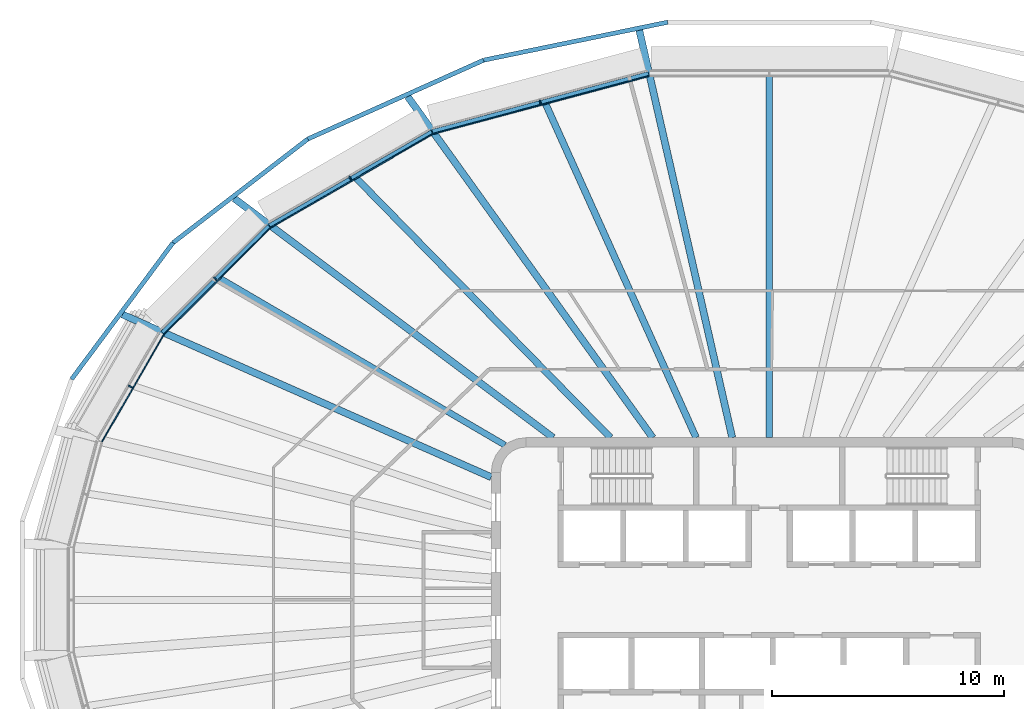
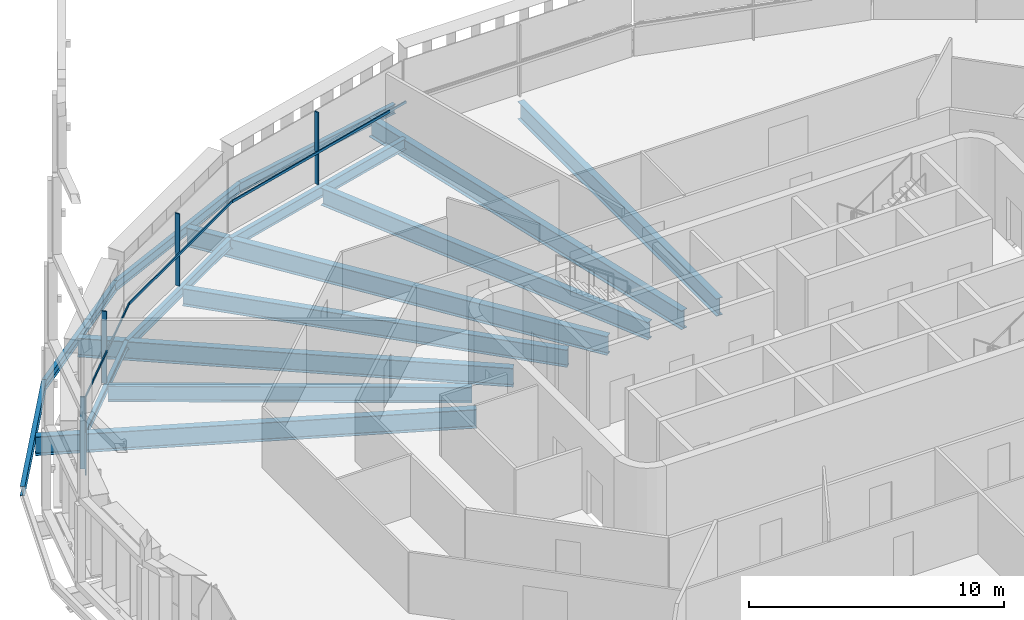
# One storey, part 5 of 21: 15 beams, 8 members, 4 elements without a shape of their own.
"""IFC4 building model written with IfcOpenShell, lengths in metres."""

from ifc_helpers import new_model, si_unit, direction, frame, origin, origin_2d, place, context, subcontext, project, spatial, rectangle, i_section, extrude, material, layer, layer_set, material_profile, profile_set, type_object, element, aggregate, save


model = new_model("IFC4")

# Units and contexts
model_context = context("Model", 3, precision=1e-05, world=origin(), true_north=direction((0.0, 1.0)))
body_context = subcontext(model_context, "Body", "Model", "MODEL_VIEW")
ifc_project = project(units=[si_unit("LENGTHUNIT", "METRE"), si_unit("AREAUNIT", "SQUARE_METRE"), si_unit("VOLUMEUNIT", "CUBIC_METRE"), si_unit("PLANEANGLEUNIT", "RADIAN"), si_unit("MASSUNIT", "GRAM", prefix="KILO")], contexts=[model_context])

# Site, building, storey
site_placement = place(None, origin())
site = spatial("IfcSite", under=ifc_project, at=site_placement, CompositionType="ELEMENT")
building_placement = place(site_placement, origin())
building = spatial("IfcBuilding", under=site, at=building_placement, Name="Sahrelin Media Tower", CompositionType="ELEMENT")
storey_placement = place(building_placement, frame((0.0, 0.0, 259.0)))
storey = spatial("IfcBuildingStorey", under=building, at=storey_placement, Name="L56", CompositionType="ELEMENT", Elevation=259.0)

# Beams
ifc_material_1 = material(Name="Steel S355", Category="steel")
ifc_material_profile_1 = material_profile(ifc_material_1, i_section(OverallWidth=0.17138671875, OverallDepth=0.35498046875, WebThickness=0.00732421875, FlangeThickness=0.011474609375, FilletRadius=0.01025390625, at=origin_2d()), Name="UB 356x171x51")
ifc_profile_set_1 = profile_set([ifc_material_profile_1], Name="Steel S355")
beam_type_1 = type_object("IfcBeamType", Name="Edge beam EB3", PredefinedType="BEAM", material=ifc_profile_set_1)
beam_1_placement = place(storey_placement, frame((-26.19140625, 11.531494140625, -0.327392578125), z_axis=(0.707106781187, 0.707106781187, 0.0), x_axis=(-0.707106781187, 0.707106781187, 0.0)))
element("IfcBeam", 1, at=beam_1_placement, inside=storey, type_object=beam_type_1, Name="Edge beam L56-16", PredefinedType="BEAM", context=body_context, shape_type="SweptSolid", body=[
    extrude(i_section(OverallWidth=0.17138671875, OverallDepth=0.35498046875, WebThickness=0.00732421875, FlangeThickness=0.011474609375, FilletRadius=0.01025390625, at=origin_2d()), origin(), (0.0, 0.0, 1.0), 6.505615234375),
])
ifc_material_profile_2 = material_profile(ifc_material_1, i_section(OverallWidth=0.1904296875, OverallDepth=0.45703125, WebThickness=0.009033203125, FlangeThickness=0.014404296875, FilletRadius=0.01025390625, at=origin_2d()), Name="UB 457x191x74")
ifc_profile_set_2 = profile_set([ifc_material_profile_2], Name="Steel S355")
beam_type_2 = type_object("IfcBeamType", Name="Edge beam EB5", PredefinedType="BEAM", material=ifc_profile_set_2)
beam_2_placement = place(storey_placement, frame((-21.568359375, 16.149169921875, -0.37841796875), z_axis=(0.866014130978, 0.500019524566, 0.0), x_axis=(-0.500019524566, 0.866014130978, 0.0)))
element("IfcBeam", 2, at=beam_2_placement, inside=storey, type_object=beam_type_2, Name="Edge beam L56-17", PredefinedType="BEAM", context=body_context, shape_type="SweptSolid", body=[
    extrude(i_section(OverallWidth=0.1904296875, OverallDepth=0.45703125, WebThickness=0.009033203125, FlangeThickness=0.014404296875, FilletRadius=0.01025390625, at=origin_2d()), origin(), (0.0, 0.0, 1.0), 8.086181640625),
])
ifc_material_profile_3 = material_profile(ifc_material_1, i_section(OverallWidth=0.208740234375, OverallDepth=0.5283203125, WebThickness=0.009521484375, FlangeThickness=0.01318359375, FilletRadius=0.0126953125, at=origin_2d()), Name="UB 533x210x82")
ifc_profile_set_3 = profile_set([ifc_material_profile_3], Name="Steel S355")
beam_type_3 = type_object("IfcBeamType", Name="Edge beam EB6", PredefinedType="BEAM", material=ifc_profile_set_3)
beam_3_placement = place(storey_placement, frame((-14.5390625, 20.203369140625, -0.4140625), z_axis=(0.96592932652, 0.258805981709, 0.0), x_axis=(-0.258805981709, 0.96592932652, 0.0)))
element("IfcBeam", 3, at=beam_3_placement, inside=storey, type_object=beam_type_3, Name="Edge beam L56-18", PredefinedType="BEAM", context=body_context, shape_type="SweptSolid", body=[
    extrude(i_section(OverallWidth=0.208740234375, OverallDepth=0.5283203125, WebThickness=0.009521484375, FlangeThickness=0.01318359375, FilletRadius=0.0126953125, at=origin_2d()), origin(), (0.0, 0.0, 1.0), 9.66064453125),
])

# Curtain wall, member
ifc_material_2 = material(Name="Champagne anodised aluminium 6063-T6", Category="aluminium")
ifc_layer = layer(ifc_material_2, 0.14990234375)
ifc_layer_set = layer_set([ifc_layer], Name="Tower ribbon curtain wall")
curtain_wall_type = type_object("IfcCurtainWallType", Name="Tower ribbon curtain wall", PredefinedType="NOTDEFINED", material=ifc_layer_set)
curtain_wall_1_placement = place(storey_placement, frame((-9.912109375, 21.598388671875, 0.0), z_axis=(0.0, 0.0, 1.0), x_axis=(1.0, 0.0, 0.0)))
curtain_wall_1 = element("IfcCurtainWall", 4, at=curtain_wall_1_placement, inside=storey, type_object=curtain_wall_type, Name="L56:CW:L56-07", PredefinedType="NOTDEFINED")
ifc_material_profile_4 = material_profile(ifc_material_2, rectangle(XDim=0.06005859375, YDim=0.199951171875, at=origin_2d()), Name="Mullion 60x200")
ifc_profile_set_4 = profile_set([ifc_material_profile_4], Name="Champagne anodised aluminium 6063-T6")
member_type_1 = type_object("IfcMemberType", Name="Mullion 60x200 CW1C", PredefinedType="MULLION", material=ifc_profile_set_4)
member_1_placement = place(storey_placement, frame((-9.881103515625, 21.482421875, 0.0), z_axis=(0.0, 0.0, 1.0), x_axis=(-0.965926729732, -0.258815673384, 0.0)))
member_1 = element("IfcMember", 5, at=member_1_placement, type_object=member_type_1, Name="L56:CWM:L56-07", PredefinedType="MULLION", context=body_context, shape_type="SweptSolid", body=[
    extrude(rectangle(XDim=0.06005859375, YDim=0.199951171875, at=origin_2d()), origin(), (0.0, 0.0, 1.0), 3.448486328125),
])

curtain_wall_2_placement = place(storey_placement, frame((-18.14208984375, 18.300537109375, 0.0), z_axis=(0.0, 0.0, 1.0), x_axis=(1.0, 0.0, 0.0)))
curtain_wall_2 = element("IfcCurtainWall", 6, at=curtain_wall_2_placement, inside=storey, type_object=curtain_wall_type, Name="L56:CW:L56-08", PredefinedType="NOTDEFINED")
member_2_placement = place(storey_placement, frame((-18.08203125, 18.19677734375, 0.0), z_axis=(0.0, 0.0, 1.0), x_axis=(-0.866020167749, -0.500009068969, 0.0)))
member_2 = element("IfcMember", 7, at=member_2_placement, type_object=member_type_1, Name="L56:CWM:L56-08", PredefinedType="MULLION", context=body_context, shape_type="SweptSolid", body=[
    extrude(rectangle(XDim=0.06005859375, YDim=0.199951171875, at=origin_2d()), origin(), (0.0, 0.0, 1.0), 3.448486328125),
])

curtain_wall_3_placement = place(storey_placement, frame((-23.997314453125, 13.9375, 0.0), z_axis=(0.0, 0.0, 1.0), x_axis=(1.0, 0.0, 0.0)))
curtain_wall_3 = element("IfcCurtainWall", 8, at=curtain_wall_3_placement, inside=storey, type_object=curtain_wall_type, Name="L56:CW:L56-09", PredefinedType="NOTDEFINED")
member_3_placement = place(storey_placement, frame((-23.91259765625, 13.852783203125, 0.0), z_axis=(0.0, 0.0, 1.0), x_axis=(-0.707106781187, -0.707106781187, 0.0)))
member_3 = element("IfcMember", 9, at=member_3_placement, type_object=member_type_1, Name="L56:CWM:L56-09", PredefinedType="MULLION", context=body_context, shape_type="SweptSolid", body=[
    extrude(rectangle(XDim=0.06005859375, YDim=0.199951171875, at=origin_2d()), origin(), (0.0, 0.0, 1.0), 3.448486328125),
])

curtain_wall_4_placement = place(storey_placement, frame((-27.6796875, 9.261474609375, 0.0), z_axis=(0.0, 0.0, 1.0), x_axis=(1.0, 0.0, 0.0)))
curtain_wall_4 = element("IfcCurtainWall", 10, at=curtain_wall_4_placement, inside=storey, type_object=curtain_wall_type, Name="L56:CW:L56-10", PredefinedType="NOTDEFINED")
member_4_placement = place(storey_placement, frame((-27.57568359375, 9.201416015625, 0.0), z_axis=(0.0, 0.0, 1.0), x_axis=(-0.500010580459, -0.866019295067, 0.0)))
member_4 = element("IfcMember", 11, at=member_4_placement, type_object=member_type_1, Name="L56:CWM:L56-10", PredefinedType="MULLION", context=body_context, shape_type="SweptSolid", body=[
    extrude(rectangle(XDim=0.06005859375, YDim=0.199951171875, at=origin_2d()), origin(), (0.0, 0.0, 1.0), 3.448486328125),
])

# Beams
ifc_material_profile_5 = material_profile(ifc_material_1, i_section(OverallWidth=0.30322265625, OverallDepth=0.903076171875, WebThickness=0.01513671875, FlangeThickness=0.020263671875, FilletRadius=0.01904296875, at=origin_2d()), Name="UB 914x305x201")
ifc_profile_set_5 = profile_set([ifc_material_profile_5], Name="Steel S355")
beam_type_4 = type_object("IfcBeamType", Name="Radial primary beam PB11", PredefinedType="BEAM", material=ifc_profile_set_5)
beam_4_placement = place(storey_placement, frame((-1.596435546875, 7.0, -0.6015625), z_axis=(-0.222372750687, 0.974961722198, 0.0), x_axis=(-0.974961722198, -0.222372750687, 0.0)))
element("IfcBeam", 12, at=beam_4_placement, inside=storey, type_object=beam_type_4, Name="Radial beam L56-07", PredefinedType="BEAM", context=body_context, shape_type="SweptSolid", body=[
    extrude(i_section(OverallWidth=0.30322265625, OverallDepth=0.903076171875, WebThickness=0.01513671875, FlangeThickness=0.020263671875, FilletRadius=0.01904296875, at=origin_2d()), origin(), (0.0, 0.0, 1.0), 18.038330078125),
])
beam_5_placement = place(storey_placement, frame((-5.028564453125, 7.0, -0.6015625), z_axis=(-0.583430968155, 0.812162733322, 0.0), x_axis=(-0.812162733322, -0.583430968155, 0.0)))
element("IfcBeam", 13, at=beam_5_placement, inside=storey, type_object=beam_type_4, Name="Radial beam L56-08", PredefinedType="BEAM", context=body_context, shape_type="SweptSolid", body=[
    extrude(i_section(OverallWidth=0.30322265625, OverallDepth=0.903076171875, WebThickness=0.01513671875, FlangeThickness=0.020263671875, FilletRadius=0.01904296875, at=origin_2d()), origin(), (0.0, 0.0, 1.0), 18.129150390625),
])
beam_6_placement = place(storey_placement, frame((-9.329345703125, 7.0, -0.6015625), z_axis=(-0.799874013489, 0.600167945283, 0.0), x_axis=(-0.600167945283, -0.799874013489, 0.0)))
element("IfcBeam", 14, at=beam_6_placement, inside=storey, type_object=beam_type_4, Name="Radial beam L56-09", PredefinedType="BEAM", context=body_context, shape_type="SweptSolid", body=[
    extrude(i_section(OverallWidth=0.30322265625, OverallDepth=0.903076171875, WebThickness=0.01513671875, FlangeThickness=0.020263671875, FilletRadius=0.01904296875, at=origin_2d()), origin(), (0.0, 0.0, 1.0), 17.21044921875),
])
beam_7_placement = place(storey_placement, frame((-12.0, 5.29443359375, -0.6015625), z_axis=(-0.914908048248, 0.40366231339, 0.0), x_axis=(-0.40366231339, -0.914908048248, 0.0)))
element("IfcBeam", 15, at=beam_7_placement, inside=storey, type_object=beam_type_4, Name="Radial beam L56-10", PredefinedType="BEAM", context=body_context, shape_type="SweptSolid", body=[
    extrude(i_section(OverallWidth=0.30322265625, OverallDepth=0.903076171875, WebThickness=0.01513671875, FlangeThickness=0.020263671875, FilletRadius=0.01904296875, at=origin_2d()), origin(), (0.0, 0.0, 1.0), 17.401123046875),
])
ifc_material_profile_6 = material_profile(ifc_material_1, i_section(OverallWidth=0.291748046875, OverallDepth=0.8349609375, WebThickness=0.013916015625, FlangeThickness=0.018798828125, FilletRadius=0.017822265625, at=origin_2d()), Name="UB 838x292x176")
ifc_profile_set_6 = profile_set([ifc_material_profile_6], Name="Steel S355")
beam_type_5 = type_object("IfcBeamType", Name="Radial secondary beam SB10", PredefinedType="BEAM", material=ifc_profile_set_6)
beam_8_placement = place(storey_placement, frame((0.0, 7.0, -0.5673828125), z_axis=(0.0, 1.0, 0.0), x_axis=(-1.0, 0.0, 0.0)))
element("IfcBeam", 16, at=beam_8_placement, inside=storey, type_object=beam_type_5, Name="Secondary beam L56-06", PredefinedType="BEAM", context=body_context, shape_type="SweptSolid", body=[
    extrude(i_section(OverallWidth=0.291748046875, OverallDepth=0.8349609375, WebThickness=0.013916015625, FlangeThickness=0.018798828125, FilletRadius=0.017822265625, at=origin_2d()), origin(), (0.0, 0.0, 1.0), 15.60302734375),
])
beam_9_placement = place(storey_placement, frame((-3.15625, 7.0, -0.5673828125), z_axis=(-0.41103398842, 0.911620019725, 0.0), x_axis=(-0.911620019725, -0.41103398842, 0.0)))
element("IfcBeam", 17, at=beam_9_placement, inside=storey, type_object=beam_type_5, Name="Secondary beam L56-07", PredefinedType="BEAM", context=body_context, shape_type="SweptSolid", body=[
    extrude(i_section(OverallWidth=0.291748046875, OverallDepth=0.8349609375, WebThickness=0.013916015625, FlangeThickness=0.018798828125, FilletRadius=0.017822265625, at=origin_2d()), origin(), (0.0, 0.0, 1.0), 15.80126953125),
])
beam_10_placement = place(storey_placement, frame((-6.856201171875, 7.0, -0.5673828125), z_axis=(-0.699725987654, 0.714411325639, 0.0), x_axis=(-0.714411325639, -0.699725987654, 0.0)))
element("IfcBeam", 18, at=beam_10_placement, inside=storey, type_object=beam_type_5, Name="Secondary beam L56-08", PredefinedType="BEAM", context=body_context, shape_type="SweptSolid", body=[
    extrude(i_section(OverallWidth=0.291748046875, OverallDepth=0.8349609375, WebThickness=0.013916015625, FlangeThickness=0.018798828125, FilletRadius=0.017822265625, at=origin_2d()), origin(), (0.0, 0.0, 1.0), 15.67724609375),
])
ifc_material_profile_7 = material_profile(ifc_material_1, i_section(OverallWidth=0.26513671875, OverallDepth=0.75390625, WebThickness=0.0126953125, FlangeThickness=0.017578125, FilletRadius=0.0166015625, at=origin_2d()), Name="UB 762x267x147")
ifc_profile_set_7 = profile_set([ifc_material_profile_7], Name="Steel S355")
beam_type_6 = type_object("IfcBeamType", Name="Radial secondary beam SB9", PredefinedType="BEAM", material=ifc_profile_set_7)
beam_11_placement = place(storey_placement, frame((-11.40771484375, 6.677978515625, -0.527099609375), z_axis=(-0.863005004974, 0.505195369525, 0.0), x_axis=(-0.505195369525, -0.863005004974, 0.0)))
element("IfcBeam", 19, at=beam_11_placement, inside=storey, type_object=beam_type_6, Name="Secondary beam L56-09", PredefinedType="BEAM", context=body_context, shape_type="SweptSolid", body=[
    extrude(i_section(OverallWidth=0.26513671875, OverallDepth=0.75390625, WebThickness=0.0126953125, FlangeThickness=0.017578125, FilletRadius=0.0166015625, at=origin_2d()), origin(), (0.0, 0.0, 1.0), 14.263916015625),
])
ifc_material_profile_8 = material_profile(ifc_material_1, i_section(OverallWidth=0.1904296875, OverallDepth=0.45703125, WebThickness=0.009033203125, FlangeThickness=0.014404296875, FilletRadius=0.01025390625, at=origin_2d()), Name="UB 457x191x74")
ifc_profile_set_8 = profile_set([ifc_material_profile_8], Name="Steel S355")
beam_type_7 = type_object("IfcBeamType", Name="Tie chord TC5", PredefinedType="BEAM", material=ifc_profile_set_8)
beam_12_placement = place(storey_placement, frame((-4.38330078125, 24.936279296875, -0.37841796875), z_axis=(-0.979391781368, -0.20196964769, 0.0), x_axis=(0.20196964769, -0.979391781368, 0.0)))
element("IfcBeam", 20, at=beam_12_placement, inside=storey, type_object=beam_type_7, Name="Tie chord L56-07", PredefinedType="BEAM", context=body_context, shape_type="SweptSolid", body=[
    extrude(i_section(OverallWidth=0.1904296875, OverallDepth=0.45703125, WebThickness=0.009033203125, FlangeThickness=0.014404296875, FilletRadius=0.01025390625, at=origin_2d()), origin(), (0.0, 0.0, 1.0), 8.1123046875),
])
beam_13_placement = place(storey_placement, frame((-12.328369140625, 23.2978515625, -0.37841796875), z_axis=(-0.91245001882, -0.409188175728, 0.0), x_axis=(0.409188175728, -0.91245001882, 0.0)))
element("IfcBeam", 21, at=beam_13_placement, inside=storey, type_object=beam_type_7, Name="Tie chord L56-08", PredefinedType="BEAM", context=body_context, shape_type="SweptSolid", body=[
    extrude(i_section(OverallWidth=0.1904296875, OverallDepth=0.45703125, WebThickness=0.009033203125, FlangeThickness=0.014404296875, FilletRadius=0.01025390625, at=origin_2d()), origin(), (0.0, 0.0, 1.0), 8.3203125),
])
beam_14_placement = place(storey_placement, frame((-19.920166015625, 19.893310546875, -0.37841796875), z_axis=(-0.792449605953, -0.609937391889, 0.0), x_axis=(0.609937391889, -0.792449605953, 0.0)))
element("IfcBeam", 22, at=beam_14_placement, inside=storey, type_object=beam_type_7, Name="Tie chord L56-09", PredefinedType="BEAM", context=body_context, shape_type="SweptSolid", body=[
    extrude(i_section(OverallWidth=0.1904296875, OverallDepth=0.45703125, WebThickness=0.009033203125, FlangeThickness=0.014404296875, FilletRadius=0.01025390625, at=origin_2d()), origin(), (0.0, 0.0, 1.0), 7.33984375),
])
beam_15_placement = place(storey_placement, frame((-25.736572265625, 15.41650390625, -0.37841796875), z_axis=(-0.59655461982, -0.802572479949, 0.0), x_axis=(0.802572479949, -0.59655461982, 0.0)))
element("IfcBeam", 23, at=beam_15_placement, inside=storey, type_object=beam_type_7, Name="Tie chord L56-10", PredefinedType="BEAM", context=body_context, shape_type="SweptSolid", body=[
    extrude(i_section(OverallWidth=0.1904296875, OverallDepth=0.45703125, WebThickness=0.009033203125, FlangeThickness=0.014404296875, FilletRadius=0.01025390625, at=origin_2d()), origin(), (0.0, 0.0, 1.0), 7.34716796875),
])

# Member
ifc_material_profile_9 = material_profile(ifc_material_2, rectangle(XDim=0.050048828125, YDim=0.1201171875, at=origin_2d()), Name="Transom 50x120")
ifc_profile_set_9 = profile_set([ifc_material_profile_9], Name="Champagne anodised aluminium 6063-T6")
member_type_2 = type_object("IfcMemberType", Name="Transom 50x120 CW1C", PredefinedType="USERDEFINED", material=ifc_profile_set_9)
member_5_placement = place(storey_placement, frame((-5.197998046875, 22.60791015625, 1.60009765625), z_axis=(-0.965921568865, -0.258834933502, 0.0), x_axis=(0.258834933502, -0.965921568865, 0.0)))
member_5 = element("IfcMember", 24, at=member_5_placement, type_object=member_type_2, Name="L56:CWT:L56-07", ObjectType="TRANSOM", PredefinedType="USERDEFINED", context=body_context, shape_type="SweptSolid", body=[
    extrude(rectangle(XDim=0.050048828125, YDim=0.1201171875, at=origin_2d()), origin(), (0.0, 0.0, 1.0), 9.62939453125),
])

aggregate(curtain_wall_1, [member_1, member_5])

member_6_placement = place(storey_placement, frame((-14.53173828125, 20.10205078125, 1.60009765625), z_axis=(-0.866026084844, -0.499998820369, 0.0), x_axis=(0.499998820369, -0.866026084844, 0.0)))
member_6 = element("IfcMember", 25, at=member_6_placement, type_object=member_type_2, Name="L56:CWT:L56-08", ObjectType="TRANSOM", PredefinedType="USERDEFINED", context=body_context, shape_type="SweptSolid", body=[
    extrude(rectangle(XDim=0.050048828125, YDim=0.1201171875, at=origin_2d()), origin(), (0.0, 0.0, 1.0), 8.0546875),
])

aggregate(curtain_wall_2, [member_2, member_6])

member_7_placement = place(storey_placement, frame((-21.53515625, 16.05322265625, 1.60009765625), z_axis=(-0.707106781187, -0.707106781187, 0.0), x_axis=(0.707106781187, -0.707106781187, 0.0)))
member_7 = element("IfcMember", 26, at=member_7_placement, type_object=member_type_2, Name="L56:CWT:L56-09", ObjectType="TRANSOM", PredefinedType="USERDEFINED", context=body_context, shape_type="SweptSolid", body=[
    extrude(rectangle(XDim=0.050048828125, YDim=0.1201171875, at=origin_2d()), origin(), (0.0, 0.0, 1.0), 6.47412109375),
])

aggregate(curtain_wall_3, [member_3, member_7])

member_8_placement = place(storey_placement, frame((-26.134521484375, 11.447509765625, 1.60009765625), z_axis=(-0.500025039717, -0.866010946615, 0.0), x_axis=(0.866010946615, -0.500025039717, 0.0)))
member_8 = element("IfcMember", 27, at=member_8_placement, type_object=member_type_2, Name="L56:CWT:L56-10", ObjectType="TRANSOM", PredefinedType="USERDEFINED", context=body_context, shape_type="SweptSolid", body=[
    extrude(rectangle(XDim=0.050048828125, YDim=0.1201171875, at=origin_2d()), origin(), (0.0, 0.0, 1.0), 5.331298828125),
])

aggregate(curtain_wall_4, [member_4, member_8])

save(model, "model.ifc")
